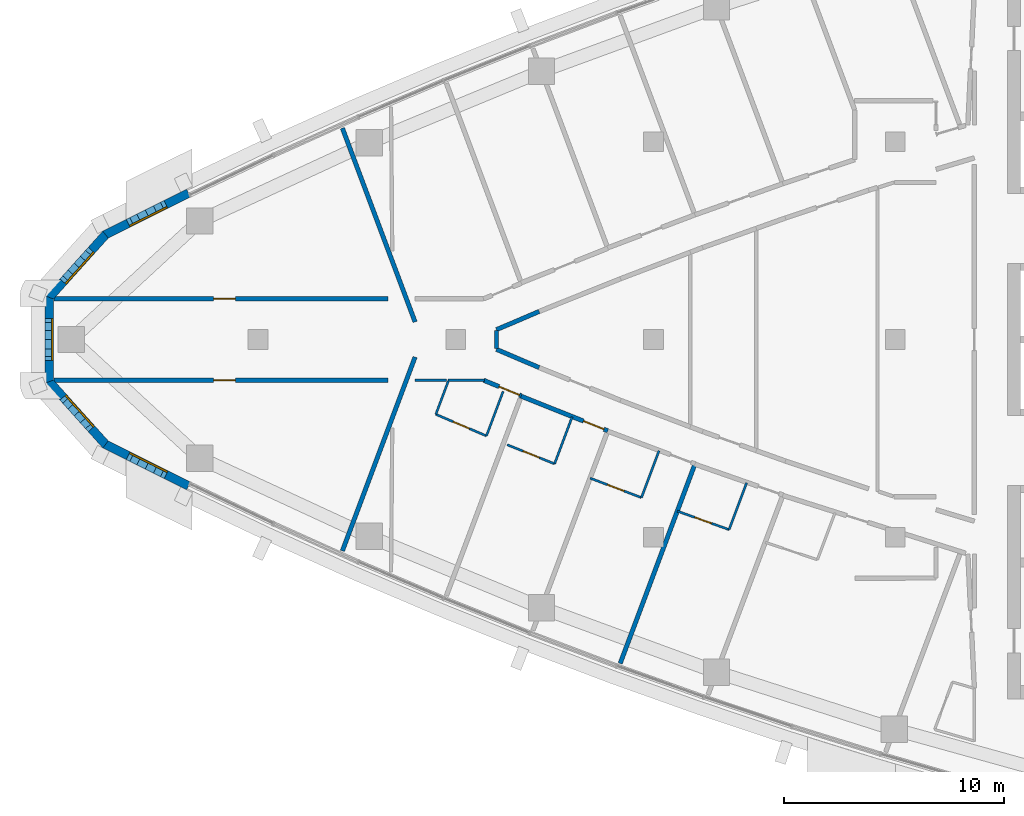
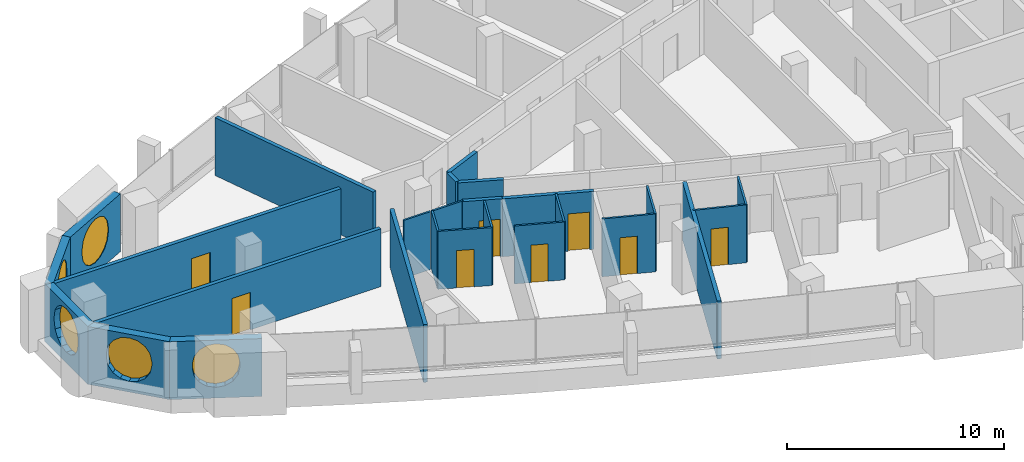
# One storey, part 8 of 16: 26 walls, 8 doors, 5 windows, 13 openings.
"""IFC4 building model written with IfcOpenShell, lengths in metres."""

from ifc_helpers import new_model, si_unit, direction, frame, frame_2d, origin, place, context, subcontext, project, spatial, polyline, rectangle, outline, extrude, material, layer, layer_set, type_object, element, fill, save


model = new_model("IFC4")

# Units and contexts
model_context = context("Model", 3, precision=1e-05, world=origin(), true_north=direction((0.0, 1.0)))
body_context = subcontext(model_context, "Body", "Model", "MODEL_VIEW")
ifc_project = project(units=[si_unit("LENGTHUNIT", "METRE"), si_unit("AREAUNIT", "SQUARE_METRE"), si_unit("VOLUMEUNIT", "CUBIC_METRE"), si_unit("PLANEANGLEUNIT", "RADIAN"), si_unit("MASSUNIT", "GRAM", prefix="KILO")], contexts=[model_context])

# Site, building, storey
site_placement = place(None, origin())
site = spatial("IfcSite", under=ifc_project, at=site_placement, CompositionType="ELEMENT")
building_placement = place(site_placement, origin())
building = spatial("IfcBuilding", under=site, at=building_placement, Name="Ostrand Prow Hotel Tower", CompositionType="ELEMENT")
storey_placement = place(building_placement, frame((0.0, 0.0, 245.64990234375)))
storey = spatial("IfcBuildingStorey", under=building, at=storey_placement, Name="L62", CompositionType="ELEMENT", Elevation=245.64990234375)

# Walls
ifc_material_1 = material(Name="Plasterboard partition")
ifc_layer_1 = layer(ifc_material_1, 0.10009765625)
ifc_layer_set_1 = layer_set([ifc_layer_1], Name="Plasterboard partition")
wall_type_1 = type_object("IfcWallType", Name="Partition 100 bathroom wall", PredefinedType="PARTITIONING", material=ifc_layer_set_1)
wall_1_placement = place(storey_placement, frame((24.09619140625, -3.403564453125, 0.0), z_axis=(0.0, 0.0, 1.0), x_axis=(0.351156192753, 0.936316895229, 0.0)))
element("IfcWall", 1, at=wall_1_placement, inside=storey, type_object=wall_type_1, Name="BATHROOM WALL", PredefinedType="PARTITIONING", context=body_context, shape_type="SweptSolid", body=[
    extrude(rectangle(XDim=1.6337890625, YDim=0.10009765625, at=frame_2d((0.81689453125, 0.0))), origin(), (0.0, 0.0, 1.0), 3.25),
])
wall_2_placement = place(storey_placement, frame((27.15625, -2.36328125, 0.0), z_axis=(0.0, 0.0, 1.0), x_axis=(-0.351086267198, -0.936343117124, 0.0)))
element("IfcWall", 2, at=wall_2_placement, inside=storey, type_object=wall_type_1, Name="BATHROOM WALL", PredefinedType="PARTITIONING", context=body_context, shape_type="SweptSolid", body=[
    extrude(rectangle(XDim=2.1591796875, YDim=0.10009765625, at=frame_2d((1.07958984375, 0.0))), origin(), (0.0, 0.0, 1.0), 3.25),
])

# Wall, opening, door
wall_3_placement = place(storey_placement, frame((26.39794921875, -4.385009765625, 0.0), z_axis=(0.0, 0.0, 1.0), x_axis=(-0.919870178563, 0.392222965404, 0.0)))
wall_3 = element("IfcWall", 3, at=wall_3_placement, inside=storey, type_object=wall_type_1, Name="BATHROOM WALL", PredefinedType="PARTITIONING", context=body_context, shape_type="SweptSolid", body=[
    extrude(rectangle(XDim=2.502197265625, YDim=0.10009765625, at=frame_2d((1.2509765625, 0.0))), origin(), (0.0, 0.0, 1.0), 3.25),
])
opening_1_placement = place(wall_3_placement, frame((0.85009765625, 0.0, 0.0)))
opening_1 = element("IfcOpeningElement", 4, at=opening_1_placement, cuts=wall_3, Name="Opening D2", PredefinedType="OPENING", context=body_context, shape_type="SweptSolid", body=[
    extrude(rectangle(XDim=0.800048828125, YDim=2.10009765625, at=frame_2d((0.39990234375, 1.050048828125))), frame((0.0, 0.06005859375, 0.0), z_axis=(0.0, -1.0, 0.0), x_axis=(1.0, 0.0, 0.0)), (0.0, 0.0, 1.0), 0.1201171875),
])
ifc_material_2 = material(Name="Timber door leaf", Category="wood")
door_type_1 = type_object("IfcDoorType", Name="Bathroom door 800", OperationType="SINGLE_SWING_LEFT", PredefinedType="DOOR", material=ifc_material_2)
door_1_placement = place(opening_1_placement, origin())
door_1 = element("IfcDoor", 5, at=door_1_placement, inside=storey, type_object=door_type_1, Name="DOOR", OperationType="SINGLE_SWING_LEFT", OverallHeight=2.10009765625, OverallWidth=0.800048828125, PredefinedType="DOOR", context=body_context, shape_type="SweptSolid", body=[
    extrude(rectangle(XDim=0.800048828125, YDim=2.10009765625, at=frame_2d((0.39990234375, 1.050048828125))), frame((0.0, 0.02490234375, 0.0), z_axis=(0.0, -1.0, 0.0), x_axis=(1.0, 0.0, 0.0)), (0.0, 0.0, 1.0), 0.050048828125),
])
fill(opening_1, door_1)

# Wall
wall_4_placement = place(storey_placement, frame((30.29638671875, -3.5224609375, 0.0), z_axis=(0.0, 0.0, 1.0), x_axis=(-0.351099944253, -0.936337988734, 0.0)))
element("IfcWall", 6, at=wall_4_placement, inside=storey, type_object=wall_type_1, Name="BATHROOM WALL", PredefinedType="PARTITIONING", context=body_context, shape_type="SweptSolid", body=[
    extrude(rectangle(XDim=2.27734375, YDim=0.10009765625, at=frame_2d((1.138671875, 0.0))), origin(), (0.0, 0.0, 1.0), 3.25),
])

# Wall, opening, door
wall_5_placement = place(storey_placement, frame((29.496826171875, -5.65478515625, 0.0), z_axis=(0.0, 0.0, 1.0), x_axis=(-0.927619412923, 0.373526739028, 0.0)))
wall_5 = element("IfcWall", 7, at=wall_5_placement, inside=storey, type_object=wall_type_1, Name="BATHROOM WALL", PredefinedType="PARTITIONING", context=body_context, shape_type="SweptSolid", body=[
    extrude(rectangle(XDim=2.32421875, YDim=0.10009765625, at=frame_2d((1.162109375, 0.0))), origin(), (0.0, 0.0, 1.0), 3.25),
])
opening_2_placement = place(wall_5_placement, frame((0.75, 0.0, 0.0)))
opening_2 = element("IfcOpeningElement", 8, at=opening_2_placement, cuts=wall_5, Name="Opening D2", PredefinedType="OPENING", context=body_context, shape_type="SweptSolid", body=[
    extrude(rectangle(XDim=0.800048828125, YDim=2.10009765625, at=frame_2d((0.39990234375, 1.050048828125))), frame((0.0, 0.06005859375, 0.0), z_axis=(0.0, -1.0, 0.0), x_axis=(1.0, 0.0, 0.0)), (0.0, 0.0, 1.0), 0.1201171875),
])
door_2_placement = place(opening_2_placement, origin())
door_2 = element("IfcDoor", 9, at=door_2_placement, inside=storey, type_object=door_type_1, Name="DOOR", OperationType="SINGLE_SWING_LEFT", OverallHeight=2.10009765625, OverallWidth=0.800048828125, PredefinedType="DOOR", context=body_context, shape_type="SweptSolid", body=[
    extrude(rectangle(XDim=0.800048828125, YDim=2.10009765625, at=frame_2d((0.39990234375, 1.050048828125))), frame((0.0, 0.02490234375, 0.0), z_axis=(0.0, -1.0, 0.0), x_axis=(1.0, 0.0, 0.0)), (0.0, 0.0, 1.0), 0.050048828125),
])
fill(opening_2, door_2)

# Wall
wall_6_placement = place(storey_placement, frame((34.24951171875, -5.060546875, 0.0), z_axis=(0.0, 0.0, 1.0), x_axis=(-0.351135191353, -0.936324771323, 0.0)))
element("IfcWall", 10, at=wall_6_placement, inside=storey, type_object=wall_type_1, Name="BATHROOM WALL", PredefinedType="PARTITIONING", context=body_context, shape_type="SweptSolid", body=[
    extrude(rectangle(XDim=2.277099609375, YDim=0.10009765625, at=frame_2d((1.138671875, 0.0))), origin(), (0.0, 0.0, 1.0), 3.25),
])

# Wall, opening, door
wall_7_placement = place(storey_placement, frame((33.44970703125, -7.192626953125, 0.0), z_axis=(0.0, 0.0, 1.0), x_axis=(-0.93495051617, 0.354778145202, 0.0)))
wall_7 = element("IfcWall", 11, at=wall_7_placement, inside=storey, type_object=wall_type_1, Name="BATHROOM WALL", PredefinedType="PARTITIONING", context=body_context, shape_type="SweptSolid", body=[
    extrude(rectangle(XDim=2.49462890625, YDim=0.10009765625, at=frame_2d((1.247314453125, 0.0))), origin(), (0.0, 0.0, 1.0), 3.25),
])
opening_3_placement = place(wall_7_placement, frame((0.85009765625, 0.0, 0.0)))
opening_3 = element("IfcOpeningElement", 12, at=opening_3_placement, cuts=wall_7, Name="Opening D2", PredefinedType="OPENING", context=body_context, shape_type="SweptSolid", body=[
    extrude(rectangle(XDim=0.800048828125, YDim=2.10009765625, at=frame_2d((0.39990234375, 1.050048828125))), frame((0.0, 0.06005859375, 0.0), z_axis=(0.0, -1.0, 0.0), x_axis=(1.0, 0.0, 0.0)), (0.0, 0.0, 1.0), 0.1201171875),
])
door_3_placement = place(opening_3_placement, origin())
door_3 = element("IfcDoor", 13, at=door_3_placement, inside=storey, type_object=door_type_1, Name="DOOR", OperationType="SINGLE_SWING_LEFT", OverallHeight=2.10009765625, OverallWidth=0.800048828125, PredefinedType="DOOR", context=body_context, shape_type="SweptSolid", body=[
    extrude(rectangle(XDim=0.800048828125, YDim=2.10009765625, at=frame_2d((0.39990234375, 1.050048828125))), frame((0.0, 0.02490234375, 0.0), z_axis=(0.0, -1.0, 0.0), x_axis=(1.0, 0.0, 0.0)), (0.0, 0.0, 1.0), 0.050048828125),
])
fill(opening_3, door_3)

# Wall
wall_8_placement = place(storey_placement, frame((38.236083984375, -6.515625, 0.0), z_axis=(0.0, 0.0, 1.0), x_axis=(-0.351229183496, -0.936289517543, 0.0)))
element("IfcWall", 14, at=wall_8_placement, inside=storey, type_object=wall_type_1, Name="BATHROOM WALL", PredefinedType="PARTITIONING", context=body_context, shape_type="SweptSolid", body=[
    extrude(rectangle(XDim=2.277099609375, YDim=0.10009765625, at=frame_2d((1.138671875, 0.0))), origin(), (0.0, 0.0, 1.0), 3.25),
])

# Wall, opening, door
wall_9_placement = place(storey_placement, frame((37.436279296875, -8.64794921875, 0.0), z_axis=(0.0, 0.0, 1.0), x_axis=(-0.941896455552, 0.335903359641, 0.0)))
wall_9 = element("IfcWall", 15, at=wall_9_placement, inside=storey, type_object=wall_type_1, Name="BATHROOM WALL", PredefinedType="PARTITIONING", context=body_context, shape_type="SweptSolid", body=[
    extrude(rectangle(XDim=2.500244140625, YDim=0.10009765625, at=frame_2d((1.25, 0.0))), origin(), (0.0, 0.0, 1.0), 3.25),
])
opening_4_placement = place(wall_9_placement, frame((0.85009765625, 0.0, 0.0)))
opening_4 = element("IfcOpeningElement", 16, at=opening_4_placement, cuts=wall_9, Name="Opening D2", PredefinedType="OPENING", context=body_context, shape_type="SweptSolid", body=[
    extrude(rectangle(XDim=0.800048828125, YDim=2.10009765625, at=frame_2d((0.39990234375, 1.050048828125))), frame((0.0, 0.06005859375, 0.0), z_axis=(0.0, -1.0, 0.0), x_axis=(1.0, 0.0, 0.0)), (0.0, 0.0, 1.0), 0.1201171875),
])
door_4_placement = place(opening_4_placement, origin())
door_4 = element("IfcDoor", 17, at=door_4_placement, inside=storey, type_object=door_type_1, Name="DOOR", OperationType="SINGLE_SWING_LEFT", OverallHeight=2.10009765625, OverallWidth=0.800048828125, PredefinedType="DOOR", context=body_context, shape_type="SweptSolid", body=[
    extrude(rectangle(XDim=0.800048828125, YDim=2.10009765625, at=frame_2d((0.39990234375, 1.050048828125))), frame((0.0, 0.02490234375, 0.0), z_axis=(0.0, -1.0, 0.0), x_axis=(1.0, 0.0, 0.0)), (0.0, 0.0, 1.0), 0.050048828125),
])
fill(opening_4, door_4)

# Walls
wall_10_placement = place(storey_placement, frame((24.64697265625, -1.85498046875, 0.0), z_axis=(0.0, 0.0, 1.0), x_axis=(1.0, 0.0, 0.0)))
element("IfcWall", 18, at=wall_10_placement, inside=storey, type_object=wall_type_1, Name="BATHROOM WALL", PredefinedType="PARTITIONING", context=body_context, shape_type="SweptSolid", body=[
    extrude(rectangle(XDim=1.6689453125, YDim=0.10009765625, at=frame_2d((0.83447265625, 0.0))), origin(), (0.0, 0.0, 1.0), 3.25),
])
wall_11_placement = place(storey_placement, frame((24.572021484375, -1.85009765625, 0.0), z_axis=(0.0, 0.0, 1.0), x_axis=(-1.0, 0.0, 0.0)))
element("IfcWall", 19, at=wall_11_placement, inside=storey, type_object=wall_type_1, Name="BATHROOM WALL", PredefinedType="PARTITIONING", context=body_context, shape_type="SweptSolid", body=[
    extrude(rectangle(XDim=1.422119140625, YDim=0.10009765625, at=frame_2d((0.7109375, 0.0))), origin(), (0.0, 0.0, 1.0), 3.25),
])

# Wall, opening, door
ifc_material_3 = material(Name="Plasterboard partition")
ifc_layer_2 = layer(ifc_material_3, 0.199951171875)
ifc_layer_set_2 = layer_set([ifc_layer_2], Name="Plasterboard partition")
wall_type_2 = type_object("IfcWallType", Name="Partition 200 corridor wall", PredefinedType="PARTITIONING", material=ifc_layer_set_2)
wall_12_placement = place(storey_placement, frame((6.724609375, 1.85009765625, 0.0), z_axis=(0.0, 0.0, 1.0), x_axis=(1.0, 0.0, 0.0)))
wall_12 = element("IfcWall", 20, at=wall_12_placement, inside=storey, type_object=wall_type_2, Name="CORRIDOR WALL", PredefinedType="PARTITIONING", context=body_context, shape_type="SweptSolid", body=[
    extrude(rectangle(XDim=15.187744140625, YDim=0.199951171875, at=frame_2d((7.59375, 0.0))), origin(), (0.0, 0.0, 1.0), 3.25),
])
opening_5_placement = place(wall_12_placement, frame((7.257080078125, 0.0, 0.0)))
opening_5 = element("IfcOpeningElement", 21, at=opening_5_placement, cuts=wall_12, Name="Opening D1", PredefinedType="OPENING", context=body_context, shape_type="SweptSolid", body=[
    extrude(rectangle(XDim=1.0, YDim=2.10009765625, at=frame_2d((0.5, 1.050048828125))), frame((0.0, 0.10986328125, 0.0), z_axis=(0.0, -1.0, 0.0), x_axis=(1.0, 0.0, 0.0)), (0.0, 0.0, 1.0), 0.219970703125),
])
ifc_material_4 = material(Name="Timber door leaf", Category="wood")
door_type_2 = type_object("IfcDoorType", Name="Guest room door 1000", OperationType="SINGLE_SWING_LEFT", PredefinedType="DOOR", material=ifc_material_4)
door_5_placement = place(opening_5_placement, origin())
door_5 = element("IfcDoor", 22, at=door_5_placement, inside=storey, type_object=door_type_2, Name="DOOR", OperationType="SINGLE_SWING_LEFT", OverallHeight=2.10009765625, OverallWidth=1.0, PredefinedType="DOOR", context=body_context, shape_type="SweptSolid", body=[
    extrude(rectangle(XDim=1.0, YDim=2.10009765625, at=frame_2d((0.5, 1.050048828125))), frame((0.0, 0.02490234375, 0.0), z_axis=(0.0, -1.0, 0.0), x_axis=(1.0, 0.0, 0.0)), (0.0, 0.0, 1.0), 0.050048828125),
])
fill(opening_5, door_5)

wall_13_placement = place(storey_placement, frame((6.724609375, -1.85009765625, 0.0), z_axis=(0.0, 0.0, 1.0), x_axis=(1.0, 0.0, 0.0)))
wall_13 = element("IfcWall", 23, at=wall_13_placement, inside=storey, type_object=wall_type_2, Name="CORRIDOR WALL", PredefinedType="PARTITIONING", context=body_context, shape_type="SweptSolid", body=[
    extrude(rectangle(XDim=15.187744140625, YDim=0.199951171875, at=frame_2d((7.59375, 0.0))), origin(), (0.0, 0.0, 1.0), 3.25),
])
opening_6_placement = place(wall_13_placement, frame((7.257080078125, 0.0, 0.0)))
opening_6 = element("IfcOpeningElement", 24, at=opening_6_placement, cuts=wall_13, Name="Opening D1R", PredefinedType="OPENING", context=body_context, shape_type="SweptSolid", body=[
    extrude(rectangle(XDim=1.0, YDim=2.10009765625, at=frame_2d((0.5, 1.050048828125))), frame((0.0, 0.10986328125, 0.0), z_axis=(0.0, -1.0, 0.0), x_axis=(1.0, 0.0, 0.0)), (0.0, 0.0, 1.0), 0.219970703125),
])
ifc_material_5 = material(Name="Timber door leaf", Category="wood")
door_type_3 = type_object("IfcDoorType", Name="Guest room door 1000 right", OperationType="SINGLE_SWING_RIGHT", PredefinedType="DOOR", material=ifc_material_5)
door_6_placement = place(opening_6_placement, origin())
door_6 = element("IfcDoor", 25, at=door_6_placement, inside=storey, type_object=door_type_3, Name="DOOR", OperationType="SINGLE_SWING_RIGHT", OverallHeight=2.10009765625, OverallWidth=1.0, PredefinedType="DOOR", context=body_context, shape_type="SweptSolid", body=[
    extrude(rectangle(XDim=1.0, YDim=2.10009765625, at=frame_2d((0.5, 1.050048828125))), frame((0.0, 0.02490234375, 0.0), z_axis=(0.0, -1.0, 0.0), x_axis=(1.0, 0.0, 0.0)), (0.0, 0.0, 1.0), 0.050048828125),
])
fill(opening_6, door_6)

wall_14_placement = place(storey_placement, frame((26.265869140625, -1.85009765625, 0.0), z_axis=(0.0, 0.0, 1.0), x_axis=(0.924055156704, -0.382259162569, 0.0)))
wall_14 = element("IfcWall", 26, at=wall_14_placement, inside=storey, type_object=wall_type_2, Name="CORRIDOR WALL", PredefinedType="PARTITIONING", context=body_context, shape_type="SweptSolid", body=[
    extrude(rectangle(XDim=1.8623046875, YDim=0.199951171875, at=frame_2d((0.93115234375, 0.0))), origin(), (0.0, 0.0, 1.0), 3.25),
])
opening_7_placement = place(wall_14_placement, frame((0.76220703125, 0.0, 0.0)))
opening_7 = element("IfcOpeningElement", 27, at=opening_7_placement, cuts=wall_14, Name="Opening D1", PredefinedType="OPENING", context=body_context, shape_type="SweptSolid", body=[
    extrude(rectangle(XDim=1.0, YDim=2.10009765625, at=frame_2d((0.5, 1.050048828125))), frame((0.0, 0.10986328125, 0.0), z_axis=(0.0, -1.0, 0.0), x_axis=(1.0, 0.0, 0.0)), (0.0, 0.0, 1.0), 0.219970703125),
])
door_7_placement = place(opening_7_placement, origin())
door_7 = element("IfcDoor", 28, at=door_7_placement, inside=storey, type_object=door_type_2, Name="DOOR", OperationType="SINGLE_SWING_LEFT", OverallHeight=2.10009765625, OverallWidth=1.0, PredefinedType="DOOR", context=body_context, shape_type="SweptSolid", body=[
    extrude(rectangle(XDim=1.0, YDim=2.10009765625, at=frame_2d((0.5, 1.050048828125))), frame((0.0, 0.02490234375, 0.0), z_axis=(0.0, -1.0, 0.0), x_axis=(1.0, 0.0, 0.0)), (0.0, 0.0, 1.0), 0.050048828125),
])
fill(opening_7, door_7)

wall_15_placement = place(storey_placement, frame((27.979736328125, -2.58056640625, 0.0), z_axis=(0.0, 0.0, 1.0), x_axis=(0.928920552813, -0.370279092795, 0.0)))
wall_15 = element("IfcWall", 29, at=wall_15_placement, inside=storey, type_object=wall_type_2, Name="CORRIDOR WALL", PredefinedType="PARTITIONING", context=body_context, shape_type="SweptSolid", body=[
    extrude(rectangle(XDim=4.2421875, YDim=0.199951171875, at=frame_2d((2.12109375, 0.0))), origin(), (0.0, 0.0, 1.0), 3.25),
])
opening_8_placement = place(wall_15_placement, frame((3.050048828125, 0.0, 0.0)))
opening_8 = element("IfcOpeningElement", 30, at=opening_8_placement, cuts=wall_15, Name="Opening D1", PredefinedType="OPENING", context=body_context, shape_type="SweptSolid", body=[
    extrude(rectangle(XDim=1.0, YDim=2.10009765625, at=frame_2d((0.5, 1.050048828125))), frame((0.0, 0.10986328125, 0.0), z_axis=(0.0, -1.0, 0.0), x_axis=(1.0, 0.0, 0.0)), (0.0, 0.0, 1.0), 0.219970703125),
])
door_8_placement = place(opening_8_placement, origin())
door_8 = element("IfcDoor", 31, at=door_8_placement, inside=storey, type_object=door_type_2, Name="DOOR", OperationType="SINGLE_SWING_LEFT", OverallHeight=2.10009765625, OverallWidth=1.0, PredefinedType="DOOR", context=body_context, shape_type="SweptSolid", body=[
    extrude(rectangle(XDim=1.0, YDim=2.10009765625, at=frame_2d((0.5, 1.050048828125))), frame((0.0, 0.02490234375, 0.0), z_axis=(0.0, -1.0, 0.0), x_axis=(1.0, 0.0, 0.0)), (0.0, 0.0, 1.0), 0.050048828125),
])
fill(opening_8, door_8)

# Walls
for number, where, z_axis, x_axis, name in (
    (32, (28.795654296875, -1.276123046875, 0.0), (0.0, 0.0, 1.0), (-0.91990756443, 0.392135273732, 0.0), "CORRIDOR WALL"),
    (33, (26.85009765625, 0.44677734375, 0.0), (0.0, 0.0, 1.0), (0.91990756443, 0.392135273732, 0.0), "CORRIDOR WALL"),
):
    element("IfcWall", number, at=place(storey_placement, frame(where, z_axis=z_axis, x_axis=x_axis)), inside=storey, type_object=wall_type_2, Name=name, PredefinedType="PARTITIONING", context=body_context, shape_type="SweptSolid", body=[
        extrude(rectangle(XDim=2.114990234375, YDim=0.199951171875, at=frame_2d((1.0576171875, 0.0))), origin(), (0.0, 0.0, 1.0), 3.25),
    ])
wall_16_placement = place(storey_placement, frame((26.85498046875, -0.406982421875, 0.0), z_axis=(0.0, 0.0, 1.0), x_axis=(0.0, 1.0, 0.0)))
element("IfcWall", 34, at=wall_16_placement, inside=storey, type_object=wall_type_2, Name="CORRIDOR WALL", PredefinedType="PARTITIONING", context=body_context, shape_type="SweptSolid", body=[
    extrude(rectangle(XDim=0.81396484375, YDim=0.199951171875, at=frame_2d((0.406982421875, 0.0))), origin(), (0.0, 0.0, 1.0), 3.25),
])
ifc_material_6 = material(Name="Plasterboard partition")
ifc_layer_3 = layer(ifc_material_6, 0.199951171875)
ifc_layer_set_3 = layer_set([ifc_layer_3], Name="Plasterboard partition")
wall_type_3 = type_object("IfcWallType", Name="Partition 200 key partition", PredefinedType="PARTITIONING", material=ifc_layer_set_3)
for number, where, z_axis, x_axis, name in (
    (35, (23.14990234375, 0.800048828125, 0.0), (0.0, 0.0, 1.0), (-0.351123441588, 0.936329177569, 0.0), "KEY PARTITION"),
    (36, (19.84375, -9.616455078125, 0.0), (0.0, 0.0, 1.0), (0.351123441588, 0.936329177569, 0.0), "KEY PARTITION"),
):
    element("IfcWall", number, at=place(storey_placement, frame(where, z_axis=z_axis, x_axis=x_axis)), inside=storey, type_object=wall_type_3, Name=name, PredefinedType="PARTITIONING", context=body_context, shape_type="SweptSolid", body=[
        extrude(rectangle(XDim=9.416015625, YDim=0.199951171875, at=frame_2d((4.7080078125, 0.0))), origin(), (0.0, 0.0, 1.0), 3.25),
    ])
wall_17_placement = place(storey_placement, frame((32.482666015625, -14.73779296875, 0.0), z_axis=(0.0, 0.0, 1.0), x_axis=(0.351117925717, 0.936331246002, 0.0)))
element("IfcWall", 37, at=wall_17_placement, inside=storey, type_object=wall_type_3, Name="KEY PARTITION", PredefinedType="PARTITIONING", context=body_context, shape_type="SweptSolid", body=[
    extrude(rectangle(XDim=9.701171875, YDim=0.199951171875, at=frame_2d((4.8505859375, 0.0))), origin(), (0.0, 0.0, 1.0), 3.25),
])

# Wall, opening, window
ifc_material_7 = material(Name="Precast concrete C40/50", Category="concrete")
ifc_layer_4 = layer(ifc_material_7, 0.39990234375)
ifc_layer_set_4 = layer_set([ifc_layer_4], Name="Precast concrete C40/50")
wall_type_4 = type_object("IfcWallType", Name="Stone-faced precast wall 400 mm", PredefinedType="NOTDEFINED", material=ifc_layer_set_4)
wall_18_placement = place(storey_placement, frame((12.849365234375, 6.66064453125, 0.0), z_axis=(0.0, 0.0, 1.0), x_axis=(-0.894554263274, -0.446959360634, 0.0)))
wall_18 = element("IfcWall", 38, at=wall_18_placement, inside=storey, type_object=wall_type_4, Name="Stone-faced wall prow 1", PredefinedType="NOTDEFINED", context=body_context, shape_type="SweptSolid", body=[
    extrude(outline(polyline([(0.0, -0.199951171875), (4.263671875, -0.199951171875), (4.1875, 0.199951171875), (0.0, 0.199951171875), (0.0, -0.199951171875)])), origin(), (0.0, 0.0, 1.0), 3.25),
])
opening_9_placement = place(wall_18_placement, frame((1.012939453125, 0.0, 0.60009765625)))
opening_9 = element("IfcOpeningElement", 39, at=opening_9_placement, cuts=wall_18, Name="Opening WP2", PredefinedType="OPENING", context=body_context, shape_type="SweptSolid", body=[
    extrude(outline(polyline([(0.0, 1.35009765625), (0.083740234375, 1.77099609375), (0.322265625, 2.127685546875), (0.678955078125, 2.3662109375), (1.10009765625, 2.449951171875), (1.52099609375, 2.3662109375), (1.877685546875, 2.127685546875), (2.1162109375, 1.77099609375), (2.199951171875, 1.35009765625), (2.199951171875, 1.10009765625), (2.1162109375, 0.678955078125), (1.877685546875, 0.322265625), (1.52099609375, 0.083740234375), (1.10009765625, 0.0), (0.678955078125, 0.083740234375), (0.322265625, 0.322265625), (0.083740234375, 0.678955078125), (0.0, 1.099853515625), (0.0, 1.35009765625)])), frame((0.0, 0.2099609375, 0.0), z_axis=(0.0, -1.0, 0.0), x_axis=(1.0, 0.0, 0.0)), (0.0, 0.0, 1.0), 0.419921875),
])
ifc_material_8 = material(Name="Insulated glass in bronze frame", Category="glass")
window_type = type_object("IfcWindowType", Name="Round-ended prow lounge window 2200x2450", PartitioningType="SINGLE_PANEL", PredefinedType="WINDOW", material=ifc_material_8)
window_1_placement = place(opening_9_placement, origin())
window_1 = element("IfcWindow", 40, at=window_1_placement, inside=storey, type_object=window_type, Name="Window prow 1.1", OverallHeight=2.449951171875, OverallWidth=2.199951171875, PartitioningType="SINGLE_PANEL", PredefinedType="WINDOW", context=body_context, shape_type="SweptSolid", body=[
    extrude(outline(polyline([(0.0, 1.35009765625), (0.083740234375, 1.77099609375), (0.322265625, 2.127685546875), (0.678955078125, 2.3662109375), (1.10009765625, 2.449951171875), (1.52099609375, 2.3662109375), (1.877685546875, 2.127685546875), (2.1162109375, 1.77099609375), (2.199951171875, 1.35009765625), (2.199951171875, 1.10009765625), (2.1162109375, 0.678955078125), (1.877685546875, 0.322265625), (1.52099609375, 0.083740234375), (1.10009765625, 0.0), (0.678955078125, 0.083740234375), (0.322265625, 0.322265625), (0.083740234375, 0.678955078125), (0.0, 1.099853515625), (0.0, 1.35009765625)])), frame((0.0, 0.169921875, 0.0), z_axis=(0.0, -1.0, 0.0), x_axis=(1.0, 0.0, 0.0)), (0.0, 0.0, 1.0), 0.06005859375),
])
fill(opening_9, window_1)

wall_19_placement = place(storey_placement, frame((9.0693359375, 4.77197265625, 0.0), z_axis=(0.0, 0.0, 1.0), x_axis=(-0.668018215058, -0.744144921605, 0.0)))
wall_19 = element("IfcWall", 41, at=wall_19_placement, inside=storey, type_object=wall_type_4, Name="Stone-faced wall prow 2", PredefinedType="NOTDEFINED", context=body_context, shape_type="SweptSolid", body=[
    extrude(outline(polyline([(-0.0380859375, -0.199951171875), (3.912353515625, -0.199951171875), (3.759033203125, 0.199951171875), (0.0380859375, 0.199951171875), (-0.0380859375, -0.199951171875)])), origin(), (0.0, 0.0, 1.0), 3.25),
])
opening_10_placement = place(wall_19_placement, frame((0.81787109375, 0.0, 0.60009765625)))
opening_10 = element("IfcOpeningElement", 42, at=opening_10_placement, cuts=wall_19, Name="Opening WP2", PredefinedType="OPENING", context=body_context, shape_type="SweptSolid", body=[
    extrude(outline(polyline([(0.0, 1.35009765625), (0.083740234375, 1.77099609375), (0.322265625, 2.127685546875), (0.678955078125, 2.3662109375), (1.10009765625, 2.449951171875), (1.52099609375, 2.3662109375), (1.877685546875, 2.127685546875), (2.1162109375, 1.77099609375), (2.199951171875, 1.35009765625), (2.199951171875, 1.10009765625), (2.1162109375, 0.678955078125), (1.877685546875, 0.322265625), (1.52099609375, 0.083740234375), (1.10009765625, 0.0), (0.678955078125, 0.083740234375), (0.322265625, 0.322265625), (0.083740234375, 0.678955078125), (0.0, 1.099853515625), (0.0, 1.35009765625)])), frame((0.0, 0.2099609375, 0.0), z_axis=(0.0, -1.0, 0.0), x_axis=(1.0, 0.0, 0.0)), (0.0, 0.0, 1.0), 0.419921875),
])
window_2_placement = place(opening_10_placement, origin())
window_2 = element("IfcWindow", 43, at=window_2_placement, inside=storey, type_object=window_type, Name="Window prow 2.1", OverallHeight=2.449951171875, OverallWidth=2.199951171875, PartitioningType="SINGLE_PANEL", PredefinedType="WINDOW", context=body_context, shape_type="SweptSolid", body=[
    extrude(outline(polyline([(0.0, 1.35009765625), (0.083740234375, 1.77099609375), (0.322265625, 2.127685546875), (0.678955078125, 2.3662109375), (1.10009765625, 2.449951171875), (1.52099609375, 2.3662109375), (1.877685546875, 2.127685546875), (2.1162109375, 1.77099609375), (2.199951171875, 1.35009765625), (2.199951171875, 1.10009765625), (2.1162109375, 0.678955078125), (1.877685546875, 0.322265625), (1.52099609375, 0.083740234375), (1.10009765625, 0.0), (0.678955078125, 0.083740234375), (0.322265625, 0.322265625), (0.083740234375, 0.678955078125), (0.0, 1.099853515625), (0.0, 1.35009765625)])), frame((0.0, 0.169921875, 0.0), z_axis=(0.0, -1.0, 0.0), x_axis=(1.0, 0.0, 0.0)), (0.0, 0.0, 1.0), 0.06005859375),
])
fill(opening_10, window_2)

wall_20_placement = place(storey_placement, frame((6.507080078125, 1.917724609375, 0.0), z_axis=(0.0, 0.0, 1.0), x_axis=(0.0, -1.0, 0.0)))
wall_20 = element("IfcWall", 44, at=wall_20_placement, inside=storey, type_object=wall_type_4, Name="Stone-faced wall prow 3", PredefinedType="NOTDEFINED", context=body_context, shape_type="SweptSolid", body=[
    extrude(outline(polyline([(-0.07666015625, -0.199951171875), (3.912109375, -0.199951171875), (3.7587890625, 0.199951171875), (0.07666015625, 0.199951171875), (-0.07666015625, -0.199951171875)])), origin(), (0.0, 0.0, 1.0), 3.25),
])
opening_11_placement = place(wall_20_placement, frame((0.81787109375, 0.0, 0.60009765625)))
opening_11 = element("IfcOpeningElement", 45, at=opening_11_placement, cuts=wall_20, Name="Opening WP2", PredefinedType="OPENING", context=body_context, shape_type="SweptSolid", body=[
    extrude(outline(polyline([(0.0, 1.35009765625), (0.083740234375, 1.77099609375), (0.322265625, 2.127685546875), (0.678955078125, 2.3662109375), (1.10009765625, 2.449951171875), (1.52099609375, 2.3662109375), (1.877685546875, 2.127685546875), (2.1162109375, 1.77099609375), (2.199951171875, 1.35009765625), (2.199951171875, 1.10009765625), (2.1162109375, 0.678955078125), (1.877685546875, 0.322265625), (1.52099609375, 0.083740234375), (1.10009765625, 0.0), (0.678955078125, 0.083740234375), (0.322265625, 0.322265625), (0.083740234375, 0.678955078125), (0.0, 1.099853515625), (0.0, 1.35009765625)])), frame((0.0, 0.2099609375, 0.0), z_axis=(0.0, -1.0, 0.0), x_axis=(1.0, 0.0, 0.0)), (0.0, 0.0, 1.0), 0.419921875),
])
window_3_placement = place(opening_11_placement, origin())
window_3 = element("IfcWindow", 46, at=window_3_placement, inside=storey, type_object=window_type, Name="Window prow 3.1", OverallHeight=2.449951171875, OverallWidth=2.199951171875, PartitioningType="SINGLE_PANEL", PredefinedType="WINDOW", context=body_context, shape_type="SweptSolid", body=[
    extrude(outline(polyline([(0.0, 1.35009765625), (0.083740234375, 1.77099609375), (0.322265625, 2.127685546875), (0.678955078125, 2.3662109375), (1.10009765625, 2.449951171875), (1.52099609375, 2.3662109375), (1.877685546875, 2.127685546875), (2.1162109375, 1.77099609375), (2.199951171875, 1.35009765625), (2.199951171875, 1.10009765625), (2.1162109375, 0.678955078125), (1.877685546875, 0.322265625), (1.52099609375, 0.083740234375), (1.10009765625, 0.0), (0.678955078125, 0.083740234375), (0.322265625, 0.322265625), (0.083740234375, 0.678955078125), (0.0, 1.099853515625), (0.0, 1.35009765625)])), frame((0.0, 0.169921875, 0.0), z_axis=(0.0, -1.0, 0.0), x_axis=(1.0, 0.0, 0.0)), (0.0, 0.0, 1.0), 0.06005859375),
])
fill(opening_11, window_3)

wall_21_placement = place(storey_placement, frame((6.507080078125, -1.917724609375, 0.0), z_axis=(0.0, 0.0, 1.0), x_axis=(0.668018215058, -0.744144921605, 0.0)))
wall_21 = element("IfcWall", 47, at=wall_21_placement, inside=storey, type_object=wall_type_4, Name="Stone-faced wall prow 4", PredefinedType="NOTDEFINED", context=body_context, shape_type="SweptSolid", body=[
    extrude(outline(polyline([(-0.07666015625, -0.199951171875), (3.873779296875, -0.199951171875), (3.797607421875, 0.199951171875), (0.07666015625, 0.199951171875), (-0.07666015625, -0.199951171875)])), origin(), (0.0, 0.0, 1.0), 3.25),
])
opening_12_placement = place(wall_21_placement, frame((0.81787109375, 0.0, 0.60009765625)))
opening_12 = element("IfcOpeningElement", 48, at=opening_12_placement, cuts=wall_21, Name="Opening WP2", PredefinedType="OPENING", context=body_context, shape_type="SweptSolid", body=[
    extrude(outline(polyline([(0.0, 1.35009765625), (0.083740234375, 1.77099609375), (0.322265625, 2.127685546875), (0.678955078125, 2.3662109375), (1.10009765625, 2.449951171875), (1.52099609375, 2.3662109375), (1.877685546875, 2.127685546875), (2.1162109375, 1.77099609375), (2.199951171875, 1.35009765625), (2.199951171875, 1.10009765625), (2.1162109375, 0.678955078125), (1.877685546875, 0.322265625), (1.52099609375, 0.083740234375), (1.10009765625, 0.0), (0.678955078125, 0.083740234375), (0.322265625, 0.322265625), (0.083740234375, 0.678955078125), (0.0, 1.099853515625), (0.0, 1.35009765625)])), frame((0.0, 0.2099609375, 0.0), z_axis=(0.0, -1.0, 0.0), x_axis=(1.0, 0.0, 0.0)), (0.0, 0.0, 1.0), 0.419921875),
])
window_4_placement = place(opening_12_placement, origin())
window_4 = element("IfcWindow", 49, at=window_4_placement, inside=storey, type_object=window_type, Name="Window prow 4.1", OverallHeight=2.449951171875, OverallWidth=2.199951171875, PartitioningType="SINGLE_PANEL", PredefinedType="WINDOW", context=body_context, shape_type="SweptSolid", body=[
    extrude(outline(polyline([(0.0, 1.35009765625), (0.083740234375, 1.77099609375), (0.322265625, 2.127685546875), (0.678955078125, 2.3662109375), (1.10009765625, 2.449951171875), (1.52099609375, 2.3662109375), (1.877685546875, 2.127685546875), (2.1162109375, 1.77099609375), (2.199951171875, 1.35009765625), (2.199951171875, 1.10009765625), (2.1162109375, 0.678955078125), (1.877685546875, 0.322265625), (1.52099609375, 0.083740234375), (1.10009765625, 0.0), (0.678955078125, 0.083740234375), (0.322265625, 0.322265625), (0.083740234375, 0.678955078125), (0.0, 1.099853515625), (0.0, 1.35009765625)])), frame((0.0, 0.169921875, 0.0), z_axis=(0.0, -1.0, 0.0), x_axis=(1.0, 0.0, 0.0)), (0.0, 0.0, 1.0), 0.06005859375),
])
fill(opening_12, window_4)

wall_22_placement = place(storey_placement, frame((9.0693359375, -4.77197265625, 0.0), z_axis=(0.0, 0.0, 1.0), x_axis=(0.894554263274, -0.446959360634, 0.0)))
wall_22 = element("IfcWall", 50, at=wall_22_placement, inside=storey, type_object=wall_type_4, Name="Stone-faced wall prow 5", PredefinedType="NOTDEFINED", context=body_context, shape_type="SweptSolid", body=[
    extrude(outline(polyline([(-0.0380859375, -0.199951171875), (4.2255859375, -0.199951171875), (4.2255859375, 0.199951171875), (0.0380859375, 0.199951171875), (-0.0380859375, -0.199951171875)])), origin(), (0.0, 0.0, 1.0), 3.25),
])
opening_13_placement = place(wall_22_placement, frame((1.012939453125, 0.0, 0.60009765625)))
opening_13 = element("IfcOpeningElement", 51, at=opening_13_placement, cuts=wall_22, Name="Opening WP2", PredefinedType="OPENING", context=body_context, shape_type="SweptSolid", body=[
    extrude(outline(polyline([(0.0, 1.35009765625), (0.083740234375, 1.77099609375), (0.322265625, 2.127685546875), (0.678955078125, 2.3662109375), (1.10009765625, 2.449951171875), (1.52099609375, 2.3662109375), (1.877685546875, 2.127685546875), (2.1162109375, 1.77099609375), (2.199951171875, 1.35009765625), (2.199951171875, 1.10009765625), (2.1162109375, 0.678955078125), (1.877685546875, 0.322265625), (1.52099609375, 0.083740234375), (1.10009765625, 0.0), (0.678955078125, 0.083740234375), (0.322265625, 0.322265625), (0.083740234375, 0.678955078125), (0.0, 1.099853515625), (0.0, 1.35009765625)])), frame((0.0, 0.2099609375, 0.0), z_axis=(0.0, -1.0, 0.0), x_axis=(1.0, 0.0, 0.0)), (0.0, 0.0, 1.0), 0.419921875),
])
window_5_placement = place(opening_13_placement, origin())
window_5 = element("IfcWindow", 52, at=window_5_placement, inside=storey, type_object=window_type, Name="Window prow 5.1", OverallHeight=2.449951171875, OverallWidth=2.199951171875, PartitioningType="SINGLE_PANEL", PredefinedType="WINDOW", context=body_context, shape_type="SweptSolid", body=[
    extrude(outline(polyline([(0.0, 1.35009765625), (0.083740234375, 1.77099609375), (0.322265625, 2.127685546875), (0.678955078125, 2.3662109375), (1.10009765625, 2.449951171875), (1.52099609375, 2.3662109375), (1.877685546875, 2.127685546875), (2.1162109375, 1.77099609375), (2.199951171875, 1.35009765625), (2.199951171875, 1.10009765625), (2.1162109375, 0.678955078125), (1.877685546875, 0.322265625), (1.52099609375, 0.083740234375), (1.10009765625, 0.0), (0.678955078125, 0.083740234375), (0.322265625, 0.322265625), (0.083740234375, 0.678955078125), (0.0, 1.099853515625), (0.0, 1.35009765625)])), frame((0.0, 0.169921875, 0.0), z_axis=(0.0, -1.0, 0.0), x_axis=(1.0, 0.0, 0.0)), (0.0, 0.0, 1.0), 0.06005859375),
])
fill(opening_13, window_5)

save(model, "model.ifc")
